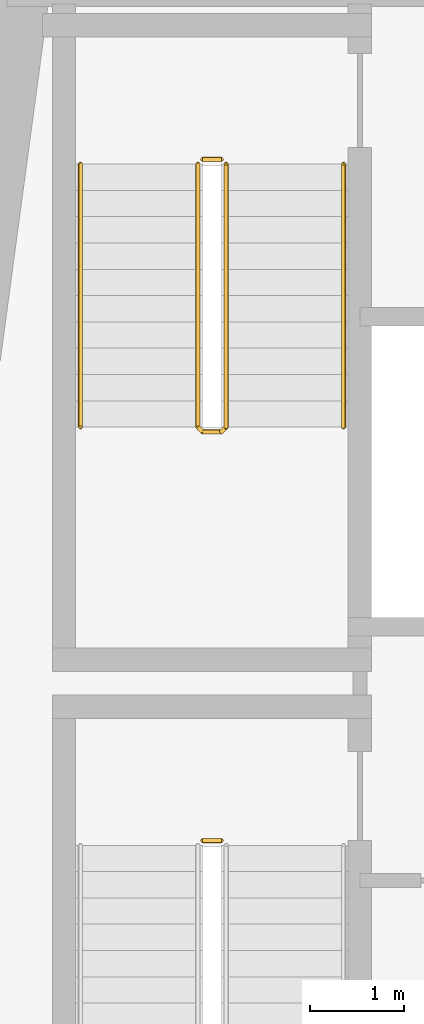
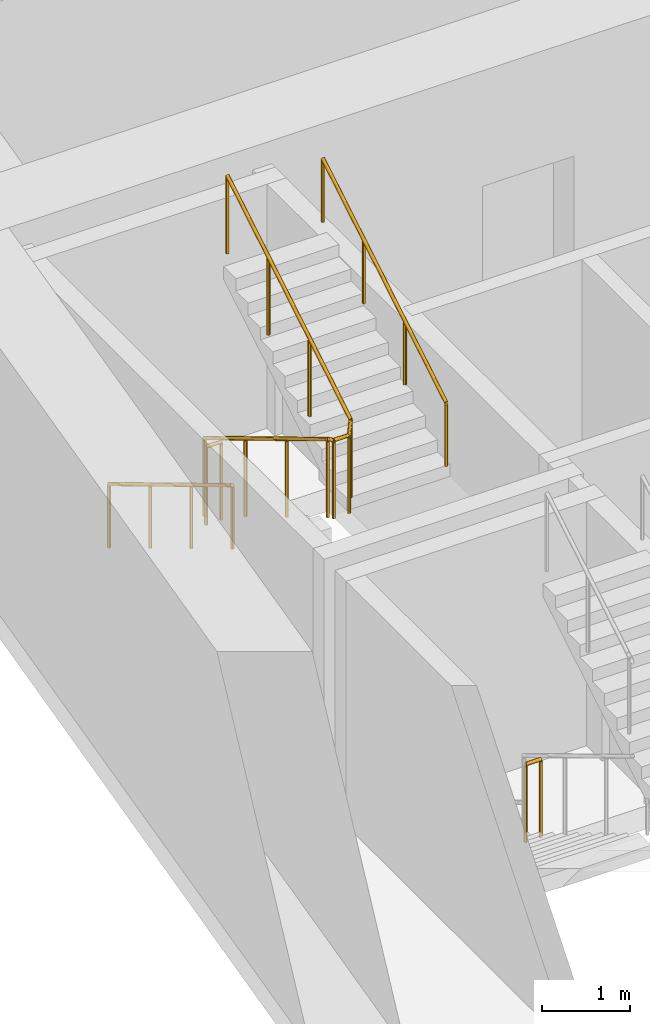
# One storey, part 10 of 13: 5 railings.
"""IFC4 building model written with IfcOpenShell, lengths in metres."""

from ifc_helpers import new_model, si_unit, direction, frame, origin, origin_2d, place, context, subcontext, project, spatial, circle, extrude, material, type_object, element, save


model = new_model("IFC4")

# Units and contexts
model_context = context("Model", 3, precision=1e-05, world=origin(), true_north=direction((0.0, 1.0)))
body_context = subcontext(model_context, "Body", "Model", "MODEL_VIEW")
ifc_project = project(units=[si_unit("LENGTHUNIT", "METRE"), si_unit("AREAUNIT", "SQUARE_METRE"), si_unit("VOLUMEUNIT", "CUBIC_METRE"), si_unit("PLANEANGLEUNIT", "RADIAN"), si_unit("MASSUNIT", "GRAM", prefix="KILO")], contexts=[model_context])

# Site, building, storey
site_placement = place(None, origin())
site = spatial("IfcSite", under=ifc_project, at=site_placement, CompositionType="ELEMENT")
building_placement = place(site_placement, origin())
building = spatial("IfcBuilding", under=site, at=building_placement, Name="Candeia Pilgrim Tower and Theatre", CompositionType="ELEMENT")
storey_placement = place(building_placement, frame((0.0, 0.0, 128.0)))
storey = spatial("IfcBuildingStorey", under=building, at=storey_placement, Name="L30", CompositionType="ELEMENT", Elevation=128.0)

# Railings
ifc_material_1 = material(Name="Stainless steel balustrade", Category="steel")
railing_type_1 = type_object("IfcRailingType", Name="RL-GUARD-1100", PredefinedType="GUARDRAIL", material=ifc_material_1)
railing_1_placement = place(storey_placement, frame((91.152099609375, 122.52490234375, 0.0)))
element("IfcRailing", 1, at=railing_1_placement, inside=storey, type_object=railing_type_1, Name="L30 ST1 stair guard 2", PredefinedType="GUARDRAIL", context=body_context, shape_type="SweptSolid", body=[
    extrude(circle(Radius=0.02392578125, at=origin_2d()), frame((0.0, 0.0, 1.076171875), z_axis=(1.0, 0.0, 0.0), x_axis=(0.0, 1.0, 0.0)), (0.0, 0.0, 1.0), 0.199951171875),
    extrude(circle(Radius=0.02099609375, at=origin_2d()), origin(), (0.0, 0.0, 1.0), 1.052001953125),
    extrude(circle(Radius=0.02099609375, at=origin_2d()), frame((0.199951171875, 0.0, 0.0)), (0.0, 0.0, 1.0), 1.052001953125),
])
railing_2_placement = place(storey_placement, frame((91.10205078125, 129.72509765625, 0.168212890625)))
element("IfcRailing", 2, at=railing_2_placement, inside=storey, type_object=railing_type_1, Name="L30 ST2 stair guard 1", PredefinedType="GUARDRAIL", context=body_context, shape_type="SweptSolid", body=[
    extrude(circle(Radius=0.02392578125, at=origin_2d()), frame((0.0, 0.0, 1.076171875), z_axis=(0.0, -0.857242210791, 0.514913383045), x_axis=(1.0, 0.0, 0.0)), (0.0, 0.0, 1.0), 3.266357421875),
    extrude(circle(Radius=0.02392578125, at=origin_2d()), frame((0.0, -2.800048828125, 2.7578125), z_axis=(0.707106781187, -0.707106781187, 0.0), x_axis=(0.707106781187, 0.707106781187, 0.0)), (0.0, 0.0, 1.0), 0.07080078125),
    extrude(circle(Radius=0.02392578125, at=origin_2d()), frame((0.050048828125, -2.85009765625, 2.7578125), z_axis=(1.0, 0.0, 0.0), x_axis=(0.0, 1.0, 0.0)), (0.0, 0.0, 1.0), 0.199951171875),
    extrude(circle(Radius=0.02392578125, at=origin_2d()), frame((0.25, -2.85009765625, 2.7578125), z_axis=(0.274582412415, 0.274582412415, 0.921525364591), x_axis=(-0.707106781187, 0.707106781187, 0.0)), (0.0, 0.0, 1.0), 0.182373046875),
    extrude(circle(Radius=0.02392578125, at=origin_2d()), frame((0.300048828125, -2.800048828125, 2.92578125), z_axis=(0.0, 0.857242210791, 0.514913383045), x_axis=(-1.0, 0.0, 0.0)), (0.0, 0.0, 1.0), 3.266357421875),
    extrude(circle(Radius=0.02099609375, at=origin_2d()), origin(), (0.0, 0.0, 1.0), 1.052001953125),
    extrude(circle(Radius=0.02099609375, at=origin_2d()), frame((0.0, -0.933349609375, 0.560546875)), (0.0, 0.0, 1.0), 1.052001953125),
    extrude(circle(Radius=0.02099609375, at=origin_2d()), frame((0.0, -1.86669921875, 1.121337890625)), (0.0, 0.0, 1.0), 1.052001953125),
    extrude(circle(Radius=0.02099609375, at=origin_2d()), frame((0.0, -2.800048828125, 1.681884765625)), (0.0, 0.0, 1.0), 1.052001953125),
    extrude(circle(Radius=0.02099609375, at=origin_2d()), frame((0.050048828125, -2.85009765625, 1.681884765625)), (0.0, 0.0, 1.0), 1.052001953125),
    extrude(circle(Radius=0.02099609375, at=origin_2d()), frame((0.25, -2.85009765625, 1.681884765625)), (0.0, 0.0, 1.0), 1.052001953125),
    extrude(circle(Radius=0.02099609375, at=origin_2d()), frame((0.300048828125, -2.800048828125, 1.849853515625)), (0.0, 0.0, 1.0), 1.052001953125),
    extrude(circle(Radius=0.02099609375, at=origin_2d()), frame((0.300048828125, -1.86669921875, 2.410400390625)), (0.0, 0.0, 1.0), 1.052001953125),
    extrude(circle(Radius=0.02099609375, at=origin_2d()), frame((0.300048828125, -0.933349609375, 2.97119140625)), (0.0, 0.0, 1.0), 1.052001953125),
    extrude(circle(Radius=0.02099609375, at=origin_2d()), frame((0.300048828125, 0.0, 3.53173828125)), (0.0, 0.0, 1.0), 1.052001953125),
])
railing_3_placement = place(storey_placement, frame((91.152099609375, 129.77490234375, 0.0)))
element("IfcRailing", 3, at=railing_3_placement, inside=storey, type_object=railing_type_1, Name="L30 ST2 stair guard 2", PredefinedType="GUARDRAIL", context=body_context, shape_type="SweptSolid", body=[
    extrude(circle(Radius=0.02392578125, at=origin_2d()), frame((0.0, 0.0, 1.076171875), z_axis=(1.0, 0.0, 0.0), x_axis=(0.0, 1.0, 0.0)), (0.0, 0.0, 1.0), 0.199951171875),
    extrude(circle(Radius=0.02099609375, at=origin_2d()), origin(), (0.0, 0.0, 1.0), 1.052001953125),
    extrude(circle(Radius=0.02099609375, at=origin_2d()), frame((0.199951171875, 0.0, 0.0)), (0.0, 0.0, 1.0), 1.052001953125),
])
ifc_material_2 = material(Name="Stainless steel handrail", Category="steel")
railing_type_2 = type_object("IfcRailingType", Name="RL-HANDRAIL-900", PredefinedType="HANDRAIL", material=ifc_material_2)
railing_4_placement = place(storey_placement, frame((89.85205078125, 129.72509765625, 0.168212890625)))
element("IfcRailing", 4, at=railing_4_placement, inside=storey, type_object=railing_type_2, Name="L30 ST2 stair handrail 1", PredefinedType="HANDRAIL", context=body_context, shape_type="SweptSolid", body=[
    extrude(circle(Radius=0.02392578125, at=origin_2d()), frame((0.0, 0.0, 0.8759765625), z_axis=(0.0, -0.857242210791, 0.514913383045), x_axis=(1.0, 0.0, 0.0)), (0.0, 0.0, 1.0), 3.266357421875),
    extrude(circle(Radius=0.02099609375, at=origin_2d()), origin(), (0.0, 0.0, 1.0), 0.851806640625),
    extrude(circle(Radius=0.02099609375, at=origin_2d()), frame((0.0, -0.933349609375, 0.560546875)), (0.0, 0.0, 1.0), 0.851806640625),
    extrude(circle(Radius=0.02099609375, at=origin_2d()), frame((0.0, -1.86669921875, 1.121337890625)), (0.0, 0.0, 1.0), 0.851806640625),
    extrude(circle(Radius=0.02099609375, at=origin_2d()), frame((0.0, -2.800048828125, 1.681884765625)), (0.0, 0.0, 1.0), 0.851806640625),
])
railing_5_placement = place(storey_placement, frame((92.652099609375, 126.925048828125, 2.01806640625)))
element("IfcRailing", 5, at=railing_5_placement, inside=storey, type_object=railing_type_2, Name="L30 ST2 stair handrail 2", PredefinedType="HANDRAIL", context=body_context, shape_type="SweptSolid", body=[
    extrude(circle(Radius=0.02392578125, at=origin_2d()), frame((0.0, 0.0, 0.8759765625), z_axis=(0.0, 0.857242210791, 0.514913383045), x_axis=(-1.0, 0.0, 0.0)), (0.0, 0.0, 1.0), 3.266357421875),
    extrude(circle(Radius=0.02099609375, at=origin_2d()), origin(), (0.0, 0.0, 1.0), 0.851806640625),
    extrude(circle(Radius=0.02099609375, at=origin_2d()), frame((0.0, 0.933349609375, 0.560546875)), (0.0, 0.0, 1.0), 0.851806640625),
    extrude(circle(Radius=0.02099609375, at=origin_2d()), frame((0.0, 1.86669921875, 1.121337890625)), (0.0, 0.0, 1.0), 0.851806640625),
    extrude(circle(Radius=0.02099609375, at=origin_2d()), frame((0.0, 2.800048828125, 1.681884765625)), (0.0, 0.0, 1.0), 0.851806640625),
])

save(model, "model.ifc")
